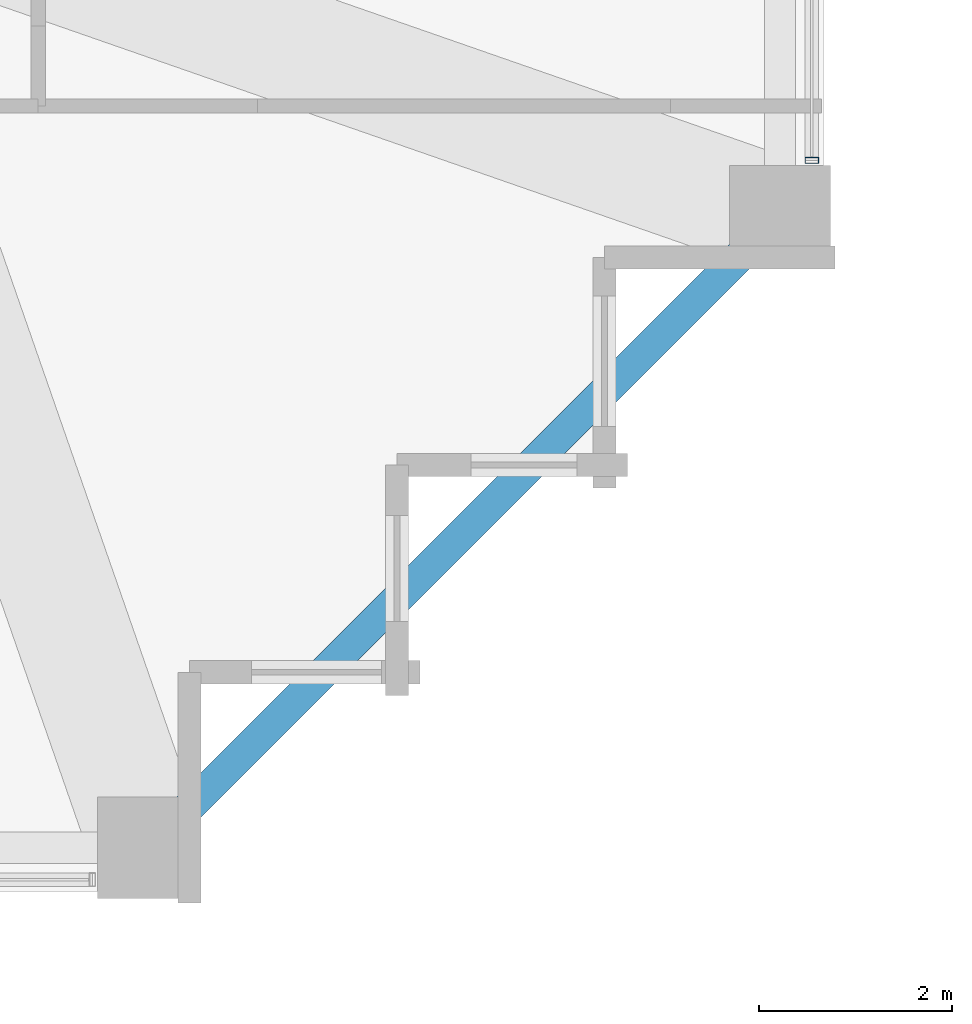
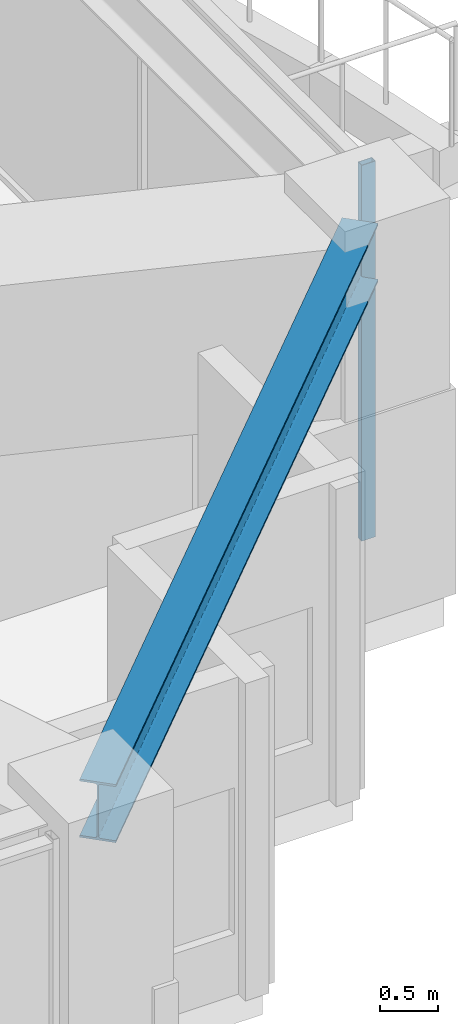
# One storey, part 14 of 40: 1 beam, 1 member, 1 element without a shape of its own.
"""IFC4 building model written with IfcOpenShell, lengths in metres."""

from ifc_helpers import new_model, si_unit, direction, frame, origin, origin_2d, place, context, subcontext, project, spatial, hollow_rectangle, i_section, extrude, material, material_profile, profile_set, type_object, element, aggregate, save


model = new_model("IFC4")

# Units and contexts
model_context = context("Model", 3, precision=1e-05, world=origin(), true_north=direction((0.0, 1.0)))
body_context = subcontext(model_context, "Body", "Model", "MODEL_VIEW")
ifc_project = project(units=[si_unit("LENGTHUNIT", "METRE"), si_unit("AREAUNIT", "SQUARE_METRE"), si_unit("VOLUMEUNIT", "CUBIC_METRE"), si_unit("PLANEANGLEUNIT", "RADIAN"), si_unit("MASSUNIT", "GRAM", prefix="KILO")], contexts=[model_context])

# Site, building, storey
site_placement = place(None, origin())
site = spatial("IfcSite", under=ifc_project, at=site_placement, CompositionType="ELEMENT")
building_placement = place(site_placement, origin())
building = spatial("IfcBuilding", under=site, at=building_placement, Name="Kolvaren Belvedere", CompositionType="ELEMENT")
storey_placement = place(building_placement, frame((0.0, 0.0, 68.0)))
storey = spatial("IfcBuildingStorey", under=building, at=storey_placement, Name="L19", CompositionType="ELEMENT", Elevation=68.0)

# Beam
ifc_material_1 = material(Name="Structural steel ASTM A992 Grade 50", Category="steel")
ifc_material_profile_1 = material_profile(ifc_material_1, i_section(OverallWidth=0.324951171875, OverallDepth=0.615966796875, WebThickness=0.013916015625, FlangeThickness=0.021484375, FilletRadius=0.02001953125, at=origin_2d()), Name="W24X117")
ifc_profile_set_1 = profile_set([ifc_material_profile_1], Name="Structural steel ASTM A992 Grade 50")
beam_type = type_object("IfcBeamType", Name="BM-SPAN-W24X117", PredefinedType="SPANDREL", material=ifc_profile_set_1)
beam_placement = place(storey_placement, frame((13.567138671875, -19.782958984375, 3.672119140625), z_axis=(0.707106781187, 0.707106781187, 0.0), x_axis=(-0.707106781187, 0.707106781187, 0.0)))
element("IfcBeam", 1, at=beam_placement, inside=storey, type_object=beam_type, Name="L19 Perimeter Spandrel S4-E1", PredefinedType="SPANDREL", context=body_context, shape_type="SweptSolid", body=[
    extrude(i_section(OverallWidth=0.324951171875, OverallDepth=0.615966796875, WebThickness=0.013916015625, FlangeThickness=0.021484375, FilletRadius=0.02001953125, at=origin_2d()), origin(), (0.0, 0.0, 1.0), 8.79052734375),
])

# Curtain wall, member
ifc_material_2 = material(Name="Anodised pale-metal aluminium AA 6063-T6", Category="aluminium")
curtain_wall_type = type_object("IfcCurtainWallType", Name="CW-Z2-MID", PredefinedType="NOTDEFINED", material=ifc_material_2)
curtain_wall_placement = place(storey_placement, origin())
curtain_wall = element("IfcCurtainWall", 2, at=curtain_wall_placement, inside=storey, type_object=curtain_wall_type, Name="L19 Unitised Curtain Wall FCW-L19-E2-B2", PredefinedType="NOTDEFINED")
ifc_material_3 = material(Name="Anodised pale-metal aluminium AA 6063-T6", Category="aluminium")
ifc_material_profile_2 = material_profile(ifc_material_3, hollow_rectangle(XDim=0.06494140625, YDim=0.139892578125, WallThickness=0.00390625, at=origin_2d()), Name="ALU-MUL-140X65")
ifc_profile_set_2 = profile_set([ifc_material_profile_2], Name="Anodised pale-metal aluminium AA 6063-T6")
member_type = type_object("IfcMemberType", Name="CW-MUL-140", PredefinedType="MULLION", material=ifc_profile_set_2)
member_placement = place(storey_placement, frame((20.280029296875, -12.822509765625, 0.0), z_axis=(0.0, 0.0, 1.0), x_axis=(0.0, 1.0, 0.0)))
member = element("IfcMember", 3, at=member_placement, type_object=member_type, Name="FCW-L19-E2-B2 Unitised Mullion 3", PredefinedType="MULLION", context=body_context, shape_type="SweptSolid", body=[
    extrude(hollow_rectangle(XDim=0.06494140625, YDim=0.139892578125, WallThickness=0.00390625, at=origin_2d()), origin(), (0.0, 0.0, 1.0), 3.97998046875),
])
aggregate(curtain_wall, [member])

save(model, "model.ifc")
